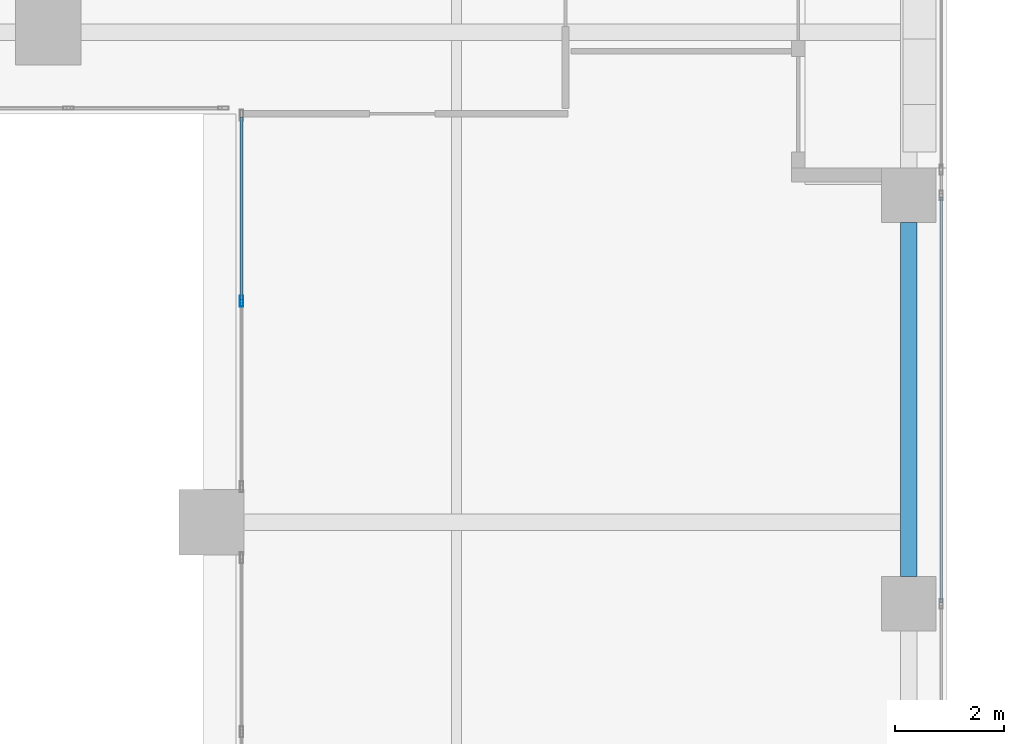
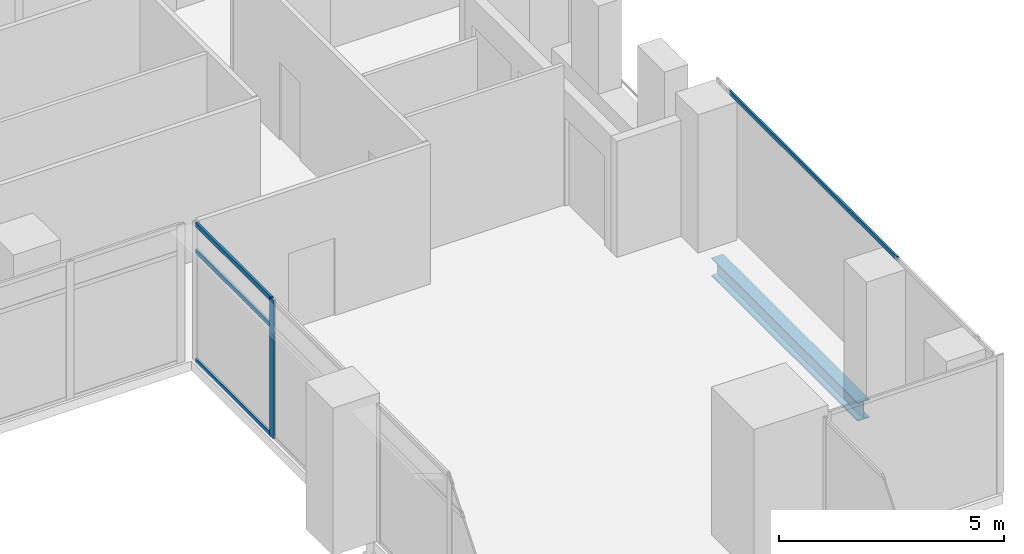
# One storey, part 12 of 37: 5 members, 1 beam, 2 elements without a shape of their own.
"""IFC4 building model written with IfcOpenShell, lengths in metres."""

from ifc_helpers import new_model, si_unit, direction, frame, origin, origin_2d, place, context, subcontext, project, spatial, hollow_rectangle, i_section, extrude, source, transform, mapped, material, material_profile, profile_set, type_object, element, aggregate, save


model = new_model("IFC4")

# Units and contexts
model_context = context("Model", 3, precision=1e-05, world=origin(), true_north=direction((0.0, 1.0)))
body_context = subcontext(model_context, "Body", "Model", "MODEL_VIEW")
ifc_project = project(units=[si_unit("LENGTHUNIT", "METRE"), si_unit("AREAUNIT", "SQUARE_METRE"), si_unit("VOLUMEUNIT", "CUBIC_METRE"), si_unit("PLANEANGLEUNIT", "RADIAN"), si_unit("MASSUNIT", "GRAM", prefix="KILO")], contexts=[model_context])

# Site, building, storey
site_placement = place(None, origin())
site = spatial("IfcSite", under=ifc_project, at=site_placement, CompositionType="ELEMENT")
building_placement = place(site_placement, origin())
building = spatial("IfcBuilding", under=site, at=building_placement, Name="Khomas Fold Tower", CompositionType="ELEMENT")
storey_placement = place(building_placement, frame((0.0, 0.0, 168.699951171875)))
storey = spatial("IfcBuildingStorey", under=building, at=storey_placement, Name="L36", CompositionType="ELEMENT", Elevation=168.699951171875)

# Beam
ifc_material_1 = material(Name="Steel S355", Category="steel")
ifc_material_profile_1 = material_profile(ifc_material_1, i_section(OverallWidth=0.300048828125, OverallDepth=0.5, WebThickness=0.014404296875, FlangeThickness=0.028076171875, at=origin_2d()), Name="HE 500 B")
ifc_profile_set_1 = profile_set([ifc_material_profile_1], Name="Steel S355")
beam_type = type_object("IfcBeamType", Name="HE 500 B spandrel SB3", PredefinedType="SPANDREL", material=ifc_profile_set_1)
shared_shape_1 = source(origin(), body_context, "Body", "SweptSolid", [
    extrude(i_section(OverallWidth=0.300048828125, OverallDepth=0.5, WebThickness=0.014404296875, FlangeThickness=0.028076171875, at=origin_2d()), origin(), (0.0, 0.0, 1.0), 6.5),
])
beam_placement = place(storey_placement, frame((50.300048828125, 12.5, -0.5), z_axis=(0.0, 1.0, 0.0), x_axis=(-1.0, 0.0, 0.0)))
element("IfcBeam", 1, at=beam_placement, inside=storey, type_object=beam_type, Name="SB3", PredefinedType="SPANDREL", context=body_context, shape_type="MappedRepresentation", body=[
    mapped(shared_shape_1, transform((0.0, 0.0, 0.0))),
])

# Curtain wall, member
ifc_material_2 = material(Name="Aluminium framed double glazing", Category="aluminium")
curtain_wall_type_1 = type_object("IfcCurtainWallType", Name="SK-Unitised clear-glass wall, office floors CW2", PredefinedType="NOTDEFINED", material=ifc_material_2)
curtain_wall_1_placement = place(storey_placement, origin())
curtain_wall_1 = element("IfcCurtainWall", 2, at=curtain_wall_1_placement, inside=storey, type_object=curtain_wall_type_1, Name="CW2 run L36 08-0", PredefinedType="NOTDEFINED")
ifc_material_3 = material(Name="Aluminium", Category="aluminium")
ifc_material_profile_2 = material_profile(ifc_material_3, hollow_rectangle(XDim=0.050048828125, YDim=0.110107421875, WallThickness=0.00390625, at=origin_2d()), Name="SK-Unitised clear-glass wall, office floors transom CW2-T")
ifc_profile_set_2 = profile_set([ifc_material_profile_2], Name="Aluminium")
member_type_1 = type_object("IfcMemberType", Name="SK-Unitised clear-glass wall, office floors transom CW2-T", PredefinedType="USERDEFINED", material=ifc_profile_set_2)
shared_shape_2 = source(origin(), body_context, "Body", "SweptSolid", [
    extrude(hollow_rectangle(XDim=0.050048828125, YDim=0.110107421875, WallThickness=0.00390625, at=origin_2d()), origin(), (0.0, 0.0, 1.0), 7.43994140625),
])
member_1_placement = place(storey_placement, frame((50.89990234375, 12.030029296875, 3.695068359375), z_axis=(0.0, 1.0, 0.0), x_axis=(-1.0, 0.0, 0.0)))
member_1 = element("IfcMember", 3, at=member_1_placement, type_object=member_type_1, Name="CW2 transom 3", ObjectType="TRANSOM", PredefinedType="USERDEFINED", context=body_context, shape_type="MappedRepresentation", body=[
    mapped(shared_shape_2, transform((0.0, 0.0, 0.0))),
])
aggregate(curtain_wall_1, [member_1])

# Curtain wall, members
ifc_material_4 = material(Name="Aluminium framed double glazing", Category="aluminium")
curtain_wall_type_2 = type_object("IfcCurtainWallType", Name="Notch glazing GN-CW", PredefinedType="NOTDEFINED", material=ifc_material_4)
curtain_wall_2_placement = place(storey_placement, origin())
curtain_wall_2 = element("IfcCurtainWall", 4, at=curtain_wall_2_placement, inside=storey, type_object=curtain_wall_type_2, Name="Notch glazing run", PredefinedType="NOTDEFINED")
ifc_material_5 = material(Name="Aluminium", Category="aluminium")
ifc_material_profile_3 = material_profile(ifc_material_5, hollow_rectangle(XDim=0.06005859375, YDim=0.199951171875, WallThickness=0.00390625, at=origin_2d()), Name="Notch glazing mullion GN-CW-M")
ifc_profile_set_3 = profile_set([ifc_material_profile_3], Name="Aluminium")
member_type_2 = type_object("IfcMemberType", Name="Notch glazing mullion GN-CW-M", PredefinedType="MULLION", material=ifc_profile_set_3)
shared_shape_3 = source(origin(), body_context, "Body", "SweptSolid", [
    extrude(hollow_rectangle(XDim=0.06005859375, YDim=0.199951171875, WallThickness=0.00390625, at=origin_2d()), origin(), (0.0, 0.0, 1.0), 3.75),
])
member_2_placement = place(storey_placement, frame((38.050048828125, 17.56005859375, 0.0), z_axis=(0.0, 0.0, 1.0), x_axis=(1.0, 0.0, 0.0)))
member_2 = element("IfcMember", 5, at=member_2_placement, type_object=member_type_2, Name="GN-CW mullion 2", PredefinedType="MULLION", context=body_context, shape_type="MappedRepresentation", body=[
    mapped(shared_shape_3, transform((0.0, 0.0, 0.0))),
])
ifc_material_6 = material(Name="Aluminium", Category="aluminium")
ifc_material_profile_4 = material_profile(ifc_material_6, hollow_rectangle(XDim=0.06005859375, YDim=0.1201171875, WallThickness=0.00390625, at=origin_2d()), Name="Notch glazing transom GN-CW-T")
ifc_profile_set_4 = profile_set([ifc_material_profile_4], Name="Aluminium")
member_type_3 = type_object("IfcMemberType", Name="Notch glazing transom GN-CW-T", PredefinedType="USERDEFINED", material=ifc_profile_set_4)
shared_shape_4 = source(origin(), body_context, "Body", "SweptSolid", [
    extrude(hollow_rectangle(XDim=0.06005859375, YDim=0.1201171875, WallThickness=0.00390625, at=origin_2d()), origin(), (0.0, 0.0, 1.0), 3.349853515625),
])
member_3_placement = place(storey_placement, frame((38.050048828125, 20.93994140625, 0.030029296875), z_axis=(0.0, -1.0, 0.0), x_axis=(1.0, 0.0, 0.0)))
member_3 = element("IfcMember", 6, at=member_3_placement, type_object=member_type_3, Name="GN-CW transom 1.1", ObjectType="TRANSOM", PredefinedType="USERDEFINED", context=body_context, shape_type="MappedRepresentation", body=[
    mapped(shared_shape_4, transform((0.0, 0.0, 0.0))),
])
member_4_placement = place(storey_placement, frame((38.050048828125, 20.93994140625, 3.0), z_axis=(0.0, -1.0, 0.0), x_axis=(1.0, 0.0, 0.0)))
member_4 = element("IfcMember", 7, at=member_4_placement, type_object=member_type_3, Name="GN-CW transom 1.2", ObjectType="TRANSOM", PredefinedType="USERDEFINED", context=body_context, shape_type="MappedRepresentation", body=[
    mapped(shared_shape_4, transform((0.0, 0.0, 0.0))),
])
member_5_placement = place(storey_placement, frame((38.050048828125, 20.93994140625, 3.719970703125), z_axis=(0.0, -1.0, 0.0), x_axis=(1.0, 0.0, 0.0)))
member_5 = element("IfcMember", 8, at=member_5_placement, type_object=member_type_3, Name="GN-CW transom 1.3", ObjectType="TRANSOM", PredefinedType="USERDEFINED", context=body_context, shape_type="MappedRepresentation", body=[
    mapped(shared_shape_4, transform((0.0, 0.0, 0.0))),
])
aggregate(curtain_wall_2, [member_2, member_3, member_4, member_5])

save(model, "model.ifc")
